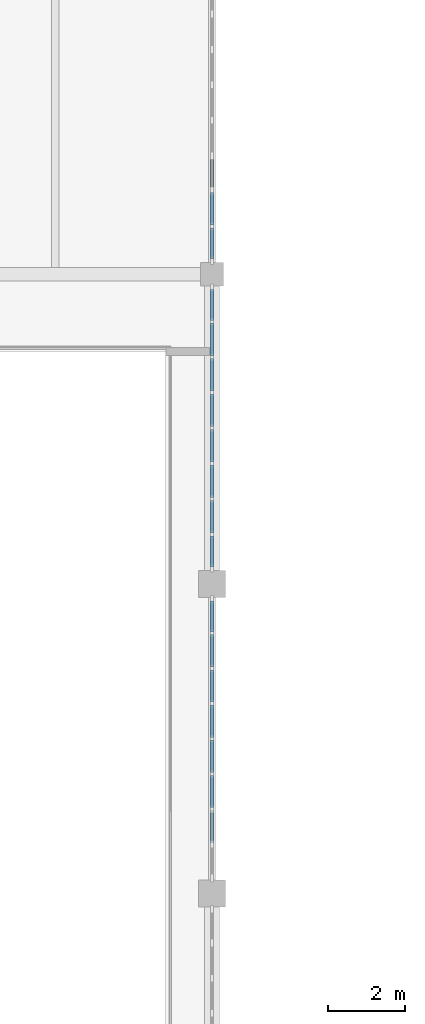
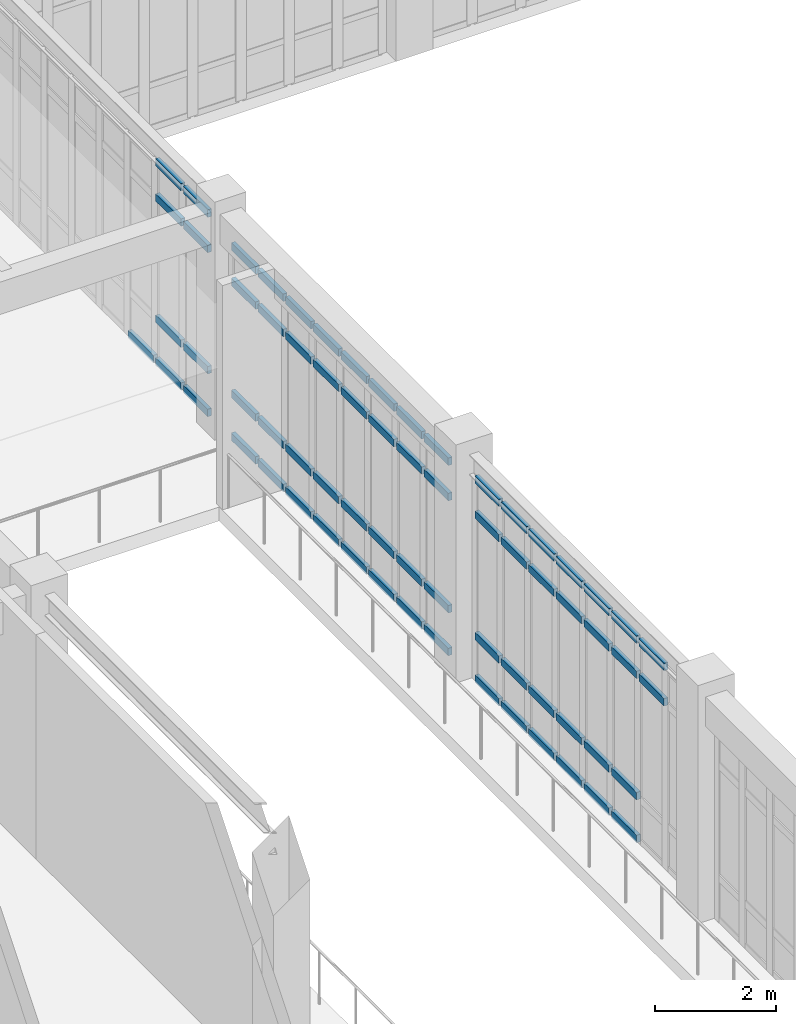
# One storey, part 23 of 61: 67 members, 3 elements without a shape of their own.
"""IFC4 building model written with IfcOpenShell, lengths in metres."""

from ifc_helpers import new_model, si_unit, direction, frame, origin, origin_2d, place, context, subcontext, project, spatial, rectangle, extrude, material, material_profile, profile_set, type_object, element, aggregate, save


model = new_model("IFC4")

# Units and contexts
model_context = context("Model", 3, precision=1e-05, world=origin(), true_north=direction((0.0, 1.0)))
body_context = subcontext(model_context, "Body", "Model", "MODEL_VIEW")
ifc_project = project(units=[si_unit("LENGTHUNIT", "METRE"), si_unit("AREAUNIT", "SQUARE_METRE"), si_unit("VOLUMEUNIT", "CUBIC_METRE"), si_unit("PLANEANGLEUNIT", "RADIAN"), si_unit("MASSUNIT", "GRAM", prefix="KILO")], contexts=[model_context])

# Site, building, storey
site_placement = place(None, origin())
site = spatial("IfcSite", under=ifc_project, at=site_placement, CompositionType="ELEMENT")
building_placement = place(site_placement, origin())
building = spatial("IfcBuilding", under=site, at=building_placement, Name="Tarnveldt Square Police Headquarters", CompositionType="ELEMENT")
storey_placement = place(building_placement, frame((0.0, 0.0, 5.39990234375)))
storey = spatial("IfcBuildingStorey", under=building, at=storey_placement, Name="L01", CompositionType="ELEMENT", Elevation=5.39990234375)

# Curtain wall, members
ifc_material_1 = material(Name="Triple-glazed low-e laminated vision glass", Category="glass")
curtain_wall_type_1 = type_object("IfcCurtainWallType", Name="CW-WG-727x409", PredefinedType="USERDEFINED", material=ifc_material_1)
curtain_wall_1_placement = place(storey_placement, origin())
curtain_wall_1 = element("IfcCurtainWall", 1, at=curtain_wall_1_placement, inside=storey, type_object=curtain_wall_type_1, Name="L01 Curtain Wall CW-L01-070", ObjectType="GLAZED CURTAIN WALL", PredefinedType="USERDEFINED")
ifc_material_2 = material(Name="Thermally broken anodised aluminium 6063-T6", Category="aluminium")
ifc_material_profile = material_profile(ifc_material_2, rectangle(XDim=0.074951171875, YDim=0.14990234375, at=origin_2d()), Name="CW-T75x150")
ifc_profile_set = profile_set([ifc_material_profile], Name="Thermally broken anodised aluminium 6063-T6")
member_type = type_object("IfcMemberType", Name="CWT-75x150", PredefinedType="USERDEFINED", material=ifc_profile_set)
member_1_placement = place(storey_placement, frame((48.60009765625, 73.311279296875, 3.34521484375), z_axis=(0.0, 1.0, 0.0), x_axis=(-1.0, 0.0, 0.0)))
member_1 = element("IfcMember", 2, at=member_1_placement, type_object=member_type, Name="CW-WG29 transom 2.3", ObjectType="TRANSOM", PredefinedType="USERDEFINED", context=body_context, shape_type="SweptSolid", body=[
    extrude(rectangle(XDim=0.074951171875, YDim=0.14990234375, at=origin_2d()), origin(), (0.0, 0.0, 1.0), 0.833740234375),
])
member_2_placement = place(storey_placement, frame((48.60009765625, 73.311279296875, 4.0576171875), z_axis=(0.0, 1.0, 0.0), x_axis=(-1.0, 0.0, 0.0)))
member_2 = element("IfcMember", 3, at=member_2_placement, type_object=member_type, Name="CW-WG29 transom 2.4", ObjectType="TRANSOM", PredefinedType="USERDEFINED", context=body_context, shape_type="SweptSolid", body=[
    extrude(rectangle(XDim=0.074951171875, YDim=0.14990234375, at=origin_2d()), origin(), (0.0, 0.0, 1.0), 0.833740234375),
])
member_3_placement = place(storey_placement, frame((48.60009765625, 74.219970703125, 0.03759765625), z_axis=(0.0, 1.0, 0.0), x_axis=(-1.0, 0.0, 0.0)))
member_3 = element("IfcMember", 4, at=member_3_placement, type_object=member_type, Name="CW-WG29 transom 3.1", ObjectType="TRANSOM", PredefinedType="USERDEFINED", context=body_context, shape_type="SweptSolid", body=[
    extrude(rectangle(XDim=0.074951171875, YDim=0.14990234375, at=origin_2d()), origin(), (0.0, 0.0, 1.0), 0.833740234375),
])
member_4_placement = place(storey_placement, frame((48.60009765625, 74.219970703125, 0.900146484375), z_axis=(0.0, 1.0, 0.0), x_axis=(-1.0, 0.0, 0.0)))
member_4 = element("IfcMember", 5, at=member_4_placement, type_object=member_type, Name="CW-WG29 transom 3.2", ObjectType="TRANSOM", PredefinedType="USERDEFINED", context=body_context, shape_type="SweptSolid", body=[
    extrude(rectangle(XDim=0.074951171875, YDim=0.14990234375, at=origin_2d()), origin(), (0.0, 0.0, 1.0), 0.833740234375),
])
member_5_placement = place(storey_placement, frame((48.60009765625, 74.219970703125, 3.34521484375), z_axis=(0.0, 1.0, 0.0), x_axis=(-1.0, 0.0, 0.0)))
member_5 = element("IfcMember", 6, at=member_5_placement, type_object=member_type, Name="CW-WG29 transom 3.3", ObjectType="TRANSOM", PredefinedType="USERDEFINED", context=body_context, shape_type="SweptSolid", body=[
    extrude(rectangle(XDim=0.074951171875, YDim=0.14990234375, at=origin_2d()), origin(), (0.0, 0.0, 1.0), 0.833740234375),
])
member_6_placement = place(storey_placement, frame((48.60009765625, 74.219970703125, 4.0576171875), z_axis=(0.0, 1.0, 0.0), x_axis=(-1.0, 0.0, 0.0)))
member_6 = element("IfcMember", 7, at=member_6_placement, type_object=member_type, Name="CW-WG29 transom 3.4", ObjectType="TRANSOM", PredefinedType="USERDEFINED", context=body_context, shape_type="SweptSolid", body=[
    extrude(rectangle(XDim=0.074951171875, YDim=0.14990234375, at=origin_2d()), origin(), (0.0, 0.0, 1.0), 0.833740234375),
])
member_7_placement = place(storey_placement, frame((48.60009765625, 75.128662109375, 0.03759765625), z_axis=(0.0, 1.0, 0.0), x_axis=(-1.0, 0.0, 0.0)))
member_7 = element("IfcMember", 8, at=member_7_placement, type_object=member_type, Name="CW-WG29 transom 4.1", ObjectType="TRANSOM", PredefinedType="USERDEFINED", context=body_context, shape_type="SweptSolid", body=[
    extrude(rectangle(XDim=0.074951171875, YDim=0.14990234375, at=origin_2d()), origin(), (0.0, 0.0, 1.0), 0.833740234375),
])
member_8_placement = place(storey_placement, frame((48.60009765625, 75.128662109375, 0.900146484375), z_axis=(0.0, 1.0, 0.0), x_axis=(-1.0, 0.0, 0.0)))
member_8 = element("IfcMember", 9, at=member_8_placement, type_object=member_type, Name="CW-WG29 transom 4.2", ObjectType="TRANSOM", PredefinedType="USERDEFINED", context=body_context, shape_type="SweptSolid", body=[
    extrude(rectangle(XDim=0.074951171875, YDim=0.14990234375, at=origin_2d()), origin(), (0.0, 0.0, 1.0), 0.833740234375),
])
member_9_placement = place(storey_placement, frame((48.60009765625, 75.128662109375, 3.34521484375), z_axis=(0.0, 1.0, 0.0), x_axis=(-1.0, 0.0, 0.0)))
member_9 = element("IfcMember", 10, at=member_9_placement, type_object=member_type, Name="CW-WG29 transom 4.3", ObjectType="TRANSOM", PredefinedType="USERDEFINED", context=body_context, shape_type="SweptSolid", body=[
    extrude(rectangle(XDim=0.074951171875, YDim=0.14990234375, at=origin_2d()), origin(), (0.0, 0.0, 1.0), 0.833740234375),
])
member_10_placement = place(storey_placement, frame((48.60009765625, 75.128662109375, 4.0576171875), z_axis=(0.0, 1.0, 0.0), x_axis=(-1.0, 0.0, 0.0)))
member_10 = element("IfcMember", 11, at=member_10_placement, type_object=member_type, Name="CW-WG29 transom 4.4", ObjectType="TRANSOM", PredefinedType="USERDEFINED", context=body_context, shape_type="SweptSolid", body=[
    extrude(rectangle(XDim=0.074951171875, YDim=0.14990234375, at=origin_2d()), origin(), (0.0, 0.0, 1.0), 0.833740234375),
])
member_11_placement = place(storey_placement, frame((48.60009765625, 76.03759765625, 0.03759765625), z_axis=(0.0, 1.0, 0.0), x_axis=(-1.0, 0.0, 0.0)))
member_11 = element("IfcMember", 12, at=member_11_placement, type_object=member_type, Name="CW-WG29 transom 5.1", ObjectType="TRANSOM", PredefinedType="USERDEFINED", context=body_context, shape_type="SweptSolid", body=[
    extrude(rectangle(XDim=0.074951171875, YDim=0.14990234375, at=origin_2d()), origin(), (0.0, 0.0, 1.0), 0.833740234375),
])
member_12_placement = place(storey_placement, frame((48.60009765625, 76.03759765625, 0.900146484375), z_axis=(0.0, 1.0, 0.0), x_axis=(-1.0, 0.0, 0.0)))
member_12 = element("IfcMember", 13, at=member_12_placement, type_object=member_type, Name="CW-WG29 transom 5.2", ObjectType="TRANSOM", PredefinedType="USERDEFINED", context=body_context, shape_type="SweptSolid", body=[
    extrude(rectangle(XDim=0.074951171875, YDim=0.14990234375, at=origin_2d()), origin(), (0.0, 0.0, 1.0), 0.833740234375),
])
member_13_placement = place(storey_placement, frame((48.60009765625, 76.03759765625, 3.34521484375), z_axis=(0.0, 1.0, 0.0), x_axis=(-1.0, 0.0, 0.0)))
member_13 = element("IfcMember", 14, at=member_13_placement, type_object=member_type, Name="CW-WG29 transom 5.3", ObjectType="TRANSOM", PredefinedType="USERDEFINED", context=body_context, shape_type="SweptSolid", body=[
    extrude(rectangle(XDim=0.074951171875, YDim=0.14990234375, at=origin_2d()), origin(), (0.0, 0.0, 1.0), 0.833740234375),
])
member_14_placement = place(storey_placement, frame((48.60009765625, 76.03759765625, 4.0576171875), z_axis=(0.0, 1.0, 0.0), x_axis=(-1.0, 0.0, 0.0)))
member_14 = element("IfcMember", 15, at=member_14_placement, type_object=member_type, Name="CW-WG29 transom 5.4", ObjectType="TRANSOM", PredefinedType="USERDEFINED", context=body_context, shape_type="SweptSolid", body=[
    extrude(rectangle(XDim=0.074951171875, YDim=0.14990234375, at=origin_2d()), origin(), (0.0, 0.0, 1.0), 0.833740234375),
])
member_15_placement = place(storey_placement, frame((48.60009765625, 76.9462890625, 0.03759765625), z_axis=(0.0, 1.0, 0.0), x_axis=(-1.0, 0.0, 0.0)))
member_15 = element("IfcMember", 16, at=member_15_placement, type_object=member_type, Name="CW-WG29 transom 6.1", ObjectType="TRANSOM", PredefinedType="USERDEFINED", context=body_context, shape_type="SweptSolid", body=[
    extrude(rectangle(XDim=0.074951171875, YDim=0.14990234375, at=origin_2d()), origin(), (0.0, 0.0, 1.0), 0.833740234375),
])
member_16_placement = place(storey_placement, frame((48.60009765625, 76.9462890625, 0.900146484375), z_axis=(0.0, 1.0, 0.0), x_axis=(-1.0, 0.0, 0.0)))
member_16 = element("IfcMember", 17, at=member_16_placement, type_object=member_type, Name="CW-WG29 transom 6.2", ObjectType="TRANSOM", PredefinedType="USERDEFINED", context=body_context, shape_type="SweptSolid", body=[
    extrude(rectangle(XDim=0.074951171875, YDim=0.14990234375, at=origin_2d()), origin(), (0.0, 0.0, 1.0), 0.833740234375),
])
member_17_placement = place(storey_placement, frame((48.60009765625, 76.9462890625, 3.34521484375), z_axis=(0.0, 1.0, 0.0), x_axis=(-1.0, 0.0, 0.0)))
member_17 = element("IfcMember", 18, at=member_17_placement, type_object=member_type, Name="CW-WG29 transom 6.3", ObjectType="TRANSOM", PredefinedType="USERDEFINED", context=body_context, shape_type="SweptSolid", body=[
    extrude(rectangle(XDim=0.074951171875, YDim=0.14990234375, at=origin_2d()), origin(), (0.0, 0.0, 1.0), 0.833740234375),
])
member_18_placement = place(storey_placement, frame((48.60009765625, 76.9462890625, 4.0576171875), z_axis=(0.0, 1.0, 0.0), x_axis=(-1.0, 0.0, 0.0)))
member_18 = element("IfcMember", 19, at=member_18_placement, type_object=member_type, Name="CW-WG29 transom 6.4", ObjectType="TRANSOM", PredefinedType="USERDEFINED", context=body_context, shape_type="SweptSolid", body=[
    extrude(rectangle(XDim=0.074951171875, YDim=0.14990234375, at=origin_2d()), origin(), (0.0, 0.0, 1.0), 0.833740234375),
])
member_19_placement = place(storey_placement, frame((48.60009765625, 77.85498046875, 0.03759765625), z_axis=(0.0, 1.0, 0.0), x_axis=(-1.0, 0.0, 0.0)))
member_19 = element("IfcMember", 20, at=member_19_placement, type_object=member_type, Name="CW-WG29 transom 7.1", ObjectType="TRANSOM", PredefinedType="USERDEFINED", context=body_context, shape_type="SweptSolid", body=[
    extrude(rectangle(XDim=0.074951171875, YDim=0.14990234375, at=origin_2d()), origin(), (0.0, 0.0, 1.0), 0.833740234375),
])
member_20_placement = place(storey_placement, frame((48.60009765625, 77.85498046875, 0.900146484375), z_axis=(0.0, 1.0, 0.0), x_axis=(-1.0, 0.0, 0.0)))
member_20 = element("IfcMember", 21, at=member_20_placement, type_object=member_type, Name="CW-WG29 transom 7.2", ObjectType="TRANSOM", PredefinedType="USERDEFINED", context=body_context, shape_type="SweptSolid", body=[
    extrude(rectangle(XDim=0.074951171875, YDim=0.14990234375, at=origin_2d()), origin(), (0.0, 0.0, 1.0), 0.833740234375),
])
member_21_placement = place(storey_placement, frame((48.60009765625, 77.85498046875, 3.34521484375), z_axis=(0.0, 1.0, 0.0), x_axis=(-1.0, 0.0, 0.0)))
member_21 = element("IfcMember", 22, at=member_21_placement, type_object=member_type, Name="CW-WG29 transom 7.3", ObjectType="TRANSOM", PredefinedType="USERDEFINED", context=body_context, shape_type="SweptSolid", body=[
    extrude(rectangle(XDim=0.074951171875, YDim=0.14990234375, at=origin_2d()), origin(), (0.0, 0.0, 1.0), 0.833740234375),
])
member_22_placement = place(storey_placement, frame((48.60009765625, 77.85498046875, 4.0576171875), z_axis=(0.0, 1.0, 0.0), x_axis=(-1.0, 0.0, 0.0)))
member_22 = element("IfcMember", 23, at=member_22_placement, type_object=member_type, Name="CW-WG29 transom 7.4", ObjectType="TRANSOM", PredefinedType="USERDEFINED", context=body_context, shape_type="SweptSolid", body=[
    extrude(rectangle(XDim=0.074951171875, YDim=0.14990234375, at=origin_2d()), origin(), (0.0, 0.0, 1.0), 0.833740234375),
])
member_23_placement = place(storey_placement, frame((48.60009765625, 78.763671875, 0.03759765625), z_axis=(0.0, 1.0, 0.0), x_axis=(-1.0, 0.0, 0.0)))
member_23 = element("IfcMember", 24, at=member_23_placement, type_object=member_type, Name="CW-WG29 transom 8.1", ObjectType="TRANSOM", PredefinedType="USERDEFINED", context=body_context, shape_type="SweptSolid", body=[
    extrude(rectangle(XDim=0.074951171875, YDim=0.14990234375, at=origin_2d()), origin(), (0.0, 0.0, 1.0), 0.79638671875),
])
member_24_placement = place(storey_placement, frame((48.60009765625, 78.763671875, 0.900146484375), z_axis=(0.0, 1.0, 0.0), x_axis=(-1.0, 0.0, 0.0)))
member_24 = element("IfcMember", 25, at=member_24_placement, type_object=member_type, Name="CW-WG29 transom 8.2", ObjectType="TRANSOM", PredefinedType="USERDEFINED", context=body_context, shape_type="SweptSolid", body=[
    extrude(rectangle(XDim=0.074951171875, YDim=0.14990234375, at=origin_2d()), origin(), (0.0, 0.0, 1.0), 0.79638671875),
])
member_25_placement = place(storey_placement, frame((48.60009765625, 78.763671875, 3.34521484375), z_axis=(0.0, 1.0, 0.0), x_axis=(-1.0, 0.0, 0.0)))
member_25 = element("IfcMember", 26, at=member_25_placement, type_object=member_type, Name="CW-WG29 transom 8.3", ObjectType="TRANSOM", PredefinedType="USERDEFINED", context=body_context, shape_type="SweptSolid", body=[
    extrude(rectangle(XDim=0.074951171875, YDim=0.14990234375, at=origin_2d()), origin(), (0.0, 0.0, 1.0), 0.79638671875),
])
member_26_placement = place(storey_placement, frame((48.60009765625, 78.763671875, 4.0576171875), z_axis=(0.0, 1.0, 0.0), x_axis=(-1.0, 0.0, 0.0)))
member_26 = element("IfcMember", 27, at=member_26_placement, type_object=member_type, Name="CW-WG29 transom 8.4", ObjectType="TRANSOM", PredefinedType="USERDEFINED", context=body_context, shape_type="SweptSolid", body=[
    extrude(rectangle(XDim=0.074951171875, YDim=0.14990234375, at=origin_2d()), origin(), (0.0, 0.0, 1.0), 0.79638671875),
])
aggregate(curtain_wall_1, [member_1, member_2, member_3, member_4, member_5, member_6, member_7, member_8, member_9, member_10, member_11, member_12, member_13, member_14, member_15, member_16, member_17, member_18, member_19, member_20, member_21, member_22, member_23, member_24, member_25, member_26])

curtain_wall_type_2 = type_object("IfcCurtainWallType", Name="CW-WG-732x391", PredefinedType="USERDEFINED", material=ifc_material_1)
curtain_wall_2_placement = place(storey_placement, origin())
curtain_wall_2 = element("IfcCurtainWall", 28, at=curtain_wall_2_placement, inside=storey, type_object=curtain_wall_type_2, Name="L01 Curtain Wall CW-L01-071", ObjectType="GLAZED CURTAIN WALL", PredefinedType="USERDEFINED")
member_27_placement = place(storey_placement, frame((48.60009765625, 80.43994140625, 0.03759765625), z_axis=(0.0, 1.0, 0.0), x_axis=(-1.0, 0.0, 0.0)))
member_27 = element("IfcMember", 29, at=member_27_placement, type_object=member_type, Name="CW-WG31 transom 1.1", ObjectType="TRANSOM", PredefinedType="USERDEFINED", context=body_context, shape_type="SweptSolid", body=[
    extrude(rectangle(XDim=0.074951171875, YDim=0.14990234375, at=origin_2d()), origin(), (0.0, 0.0, 1.0), 0.802490234375),
])
member_28_placement = place(storey_placement, frame((48.60009765625, 80.43994140625, 0.900146484375), z_axis=(0.0, 1.0, 0.0), x_axis=(-1.0, 0.0, 0.0)))
member_28 = element("IfcMember", 30, at=member_28_placement, type_object=member_type, Name="CW-WG31 transom 1.2", ObjectType="TRANSOM", PredefinedType="USERDEFINED", context=body_context, shape_type="SweptSolid", body=[
    extrude(rectangle(XDim=0.074951171875, YDim=0.14990234375, at=origin_2d()), origin(), (0.0, 0.0, 1.0), 0.802490234375),
])
member_29_placement = place(storey_placement, frame((48.60009765625, 80.43994140625, 3.162109375), z_axis=(0.0, 1.0, 0.0), x_axis=(-1.0, 0.0, 0.0)))
member_29 = element("IfcMember", 31, at=member_29_placement, type_object=member_type, Name="CW-WG31 transom 1.3", ObjectType="TRANSOM", PredefinedType="USERDEFINED", context=body_context, shape_type="SweptSolid", body=[
    extrude(rectangle(XDim=0.074951171875, YDim=0.14990234375, at=origin_2d()), origin(), (0.0, 0.0, 1.0), 0.802490234375),
])
member_30_placement = place(storey_placement, frame((48.60009765625, 80.43994140625, 3.87451171875), z_axis=(0.0, 1.0, 0.0), x_axis=(-1.0, 0.0, 0.0)))
member_30 = element("IfcMember", 32, at=member_30_placement, type_object=member_type, Name="CW-WG31 transom 1.4", ObjectType="TRANSOM", PredefinedType="USERDEFINED", context=body_context, shape_type="SweptSolid", body=[
    extrude(rectangle(XDim=0.074951171875, YDim=0.14990234375, at=origin_2d()), origin(), (0.0, 0.0, 1.0), 0.802490234375),
])
member_31_placement = place(storey_placement, frame((48.60009765625, 81.3173828125, 0.03759765625), z_axis=(0.0, 1.0, 0.0), x_axis=(-1.0, 0.0, 0.0)))
member_31 = element("IfcMember", 33, at=member_31_placement, type_object=member_type, Name="CW-WG31 transom 2.1", ObjectType="TRANSOM", PredefinedType="USERDEFINED", context=body_context, shape_type="SweptSolid", body=[
    extrude(rectangle(XDim=0.074951171875, YDim=0.14990234375, at=origin_2d()), origin(), (0.0, 0.0, 1.0), 0.840087890625),
])
member_32_placement = place(storey_placement, frame((48.60009765625, 81.3173828125, 0.900146484375), z_axis=(0.0, 1.0, 0.0), x_axis=(-1.0, 0.0, 0.0)))
member_32 = element("IfcMember", 34, at=member_32_placement, type_object=member_type, Name="CW-WG31 transom 2.2", ObjectType="TRANSOM", PredefinedType="USERDEFINED", context=body_context, shape_type="SweptSolid", body=[
    extrude(rectangle(XDim=0.074951171875, YDim=0.14990234375, at=origin_2d()), origin(), (0.0, 0.0, 1.0), 0.840087890625),
])
member_33_placement = place(storey_placement, frame((48.60009765625, 81.3173828125, 3.162109375), z_axis=(0.0, 1.0, 0.0), x_axis=(-1.0, 0.0, 0.0)))
member_33 = element("IfcMember", 35, at=member_33_placement, type_object=member_type, Name="CW-WG31 transom 2.3", ObjectType="TRANSOM", PredefinedType="USERDEFINED", context=body_context, shape_type="SweptSolid", body=[
    extrude(rectangle(XDim=0.074951171875, YDim=0.14990234375, at=origin_2d()), origin(), (0.0, 0.0, 1.0), 0.840087890625),
])
member_34_placement = place(storey_placement, frame((48.60009765625, 81.3173828125, 3.87451171875), z_axis=(0.0, 1.0, 0.0), x_axis=(-1.0, 0.0, 0.0)))
member_34 = element("IfcMember", 36, at=member_34_placement, type_object=member_type, Name="CW-WG31 transom 2.4", ObjectType="TRANSOM", PredefinedType="USERDEFINED", context=body_context, shape_type="SweptSolid", body=[
    extrude(rectangle(XDim=0.074951171875, YDim=0.14990234375, at=origin_2d()), origin(), (0.0, 0.0, 1.0), 0.840087890625),
])
member_35_placement = place(storey_placement, frame((48.60009765625, 82.232421875, 0.03759765625), z_axis=(0.0, 1.0, 0.0), x_axis=(-1.0, 0.0, 0.0)))
member_35 = element("IfcMember", 37, at=member_35_placement, type_object=member_type, Name="CW-WG31 transom 3.1", ObjectType="TRANSOM", PredefinedType="USERDEFINED", context=body_context, shape_type="SweptSolid", body=[
    extrude(rectangle(XDim=0.074951171875, YDim=0.14990234375, at=origin_2d()), origin(), (0.0, 0.0, 1.0), 0.840087890625),
])
member_36_placement = place(storey_placement, frame((48.60009765625, 82.232421875, 0.900146484375), z_axis=(0.0, 1.0, 0.0), x_axis=(-1.0, 0.0, 0.0)))
member_36 = element("IfcMember", 38, at=member_36_placement, type_object=member_type, Name="CW-WG31 transom 3.2", ObjectType="TRANSOM", PredefinedType="USERDEFINED", context=body_context, shape_type="SweptSolid", body=[
    extrude(rectangle(XDim=0.074951171875, YDim=0.14990234375, at=origin_2d()), origin(), (0.0, 0.0, 1.0), 0.840087890625),
])
member_37_placement = place(storey_placement, frame((48.60009765625, 82.232421875, 3.162109375), z_axis=(0.0, 1.0, 0.0), x_axis=(-1.0, 0.0, 0.0)))
member_37 = element("IfcMember", 39, at=member_37_placement, type_object=member_type, Name="CW-WG31 transom 3.3", ObjectType="TRANSOM", PredefinedType="USERDEFINED", context=body_context, shape_type="SweptSolid", body=[
    extrude(rectangle(XDim=0.074951171875, YDim=0.14990234375, at=origin_2d()), origin(), (0.0, 0.0, 1.0), 0.840087890625),
])
member_38_placement = place(storey_placement, frame((48.60009765625, 82.232421875, 3.87451171875), z_axis=(0.0, 1.0, 0.0), x_axis=(-1.0, 0.0, 0.0)))
member_38 = element("IfcMember", 40, at=member_38_placement, type_object=member_type, Name="CW-WG31 transom 3.4", ObjectType="TRANSOM", PredefinedType="USERDEFINED", context=body_context, shape_type="SweptSolid", body=[
    extrude(rectangle(XDim=0.074951171875, YDim=0.14990234375, at=origin_2d()), origin(), (0.0, 0.0, 1.0), 0.840087890625),
])
member_39_placement = place(storey_placement, frame((48.60009765625, 83.1474609375, 0.03759765625), z_axis=(0.0, 1.0, 0.0), x_axis=(-1.0, 0.0, 0.0)))
member_39 = element("IfcMember", 41, at=member_39_placement, type_object=member_type, Name="CW-WG31 transom 4.1", ObjectType="TRANSOM", PredefinedType="USERDEFINED", context=body_context, shape_type="SweptSolid", body=[
    extrude(rectangle(XDim=0.074951171875, YDim=0.14990234375, at=origin_2d()), origin(), (0.0, 0.0, 1.0), 0.840087890625),
])
member_40_placement = place(storey_placement, frame((48.60009765625, 83.1474609375, 0.900146484375), z_axis=(0.0, 1.0, 0.0), x_axis=(-1.0, 0.0, 0.0)))
member_40 = element("IfcMember", 42, at=member_40_placement, type_object=member_type, Name="CW-WG31 transom 4.2", ObjectType="TRANSOM", PredefinedType="USERDEFINED", context=body_context, shape_type="SweptSolid", body=[
    extrude(rectangle(XDim=0.074951171875, YDim=0.14990234375, at=origin_2d()), origin(), (0.0, 0.0, 1.0), 0.840087890625),
])
member_41_placement = place(storey_placement, frame((48.60009765625, 83.1474609375, 3.162109375), z_axis=(0.0, 1.0, 0.0), x_axis=(-1.0, 0.0, 0.0)))
member_41 = element("IfcMember", 43, at=member_41_placement, type_object=member_type, Name="CW-WG31 transom 4.3", ObjectType="TRANSOM", PredefinedType="USERDEFINED", context=body_context, shape_type="SweptSolid", body=[
    extrude(rectangle(XDim=0.074951171875, YDim=0.14990234375, at=origin_2d()), origin(), (0.0, 0.0, 1.0), 0.840087890625),
])
member_42_placement = place(storey_placement, frame((48.60009765625, 83.1474609375, 3.87451171875), z_axis=(0.0, 1.0, 0.0), x_axis=(-1.0, 0.0, 0.0)))
member_42 = element("IfcMember", 44, at=member_42_placement, type_object=member_type, Name="CW-WG31 transom 4.4", ObjectType="TRANSOM", PredefinedType="USERDEFINED", context=body_context, shape_type="SweptSolid", body=[
    extrude(rectangle(XDim=0.074951171875, YDim=0.14990234375, at=origin_2d()), origin(), (0.0, 0.0, 1.0), 0.840087890625),
])
member_43_placement = place(storey_placement, frame((48.60009765625, 84.0625, 0.03759765625), z_axis=(0.0, 1.0, 0.0), x_axis=(-1.0, 0.0, 0.0)))
member_43 = element("IfcMember", 45, at=member_43_placement, type_object=member_type, Name="CW-WG31 transom 5.1", ObjectType="TRANSOM", PredefinedType="USERDEFINED", context=body_context, shape_type="SweptSolid", body=[
    extrude(rectangle(XDim=0.074951171875, YDim=0.14990234375, at=origin_2d()), origin(), (0.0, 0.0, 1.0), 0.840087890625),
])
member_44_placement = place(storey_placement, frame((48.60009765625, 84.0625, 0.900146484375), z_axis=(0.0, 1.0, 0.0), x_axis=(-1.0, 0.0, 0.0)))
member_44 = element("IfcMember", 46, at=member_44_placement, type_object=member_type, Name="CW-WG31 transom 5.2", ObjectType="TRANSOM", PredefinedType="USERDEFINED", context=body_context, shape_type="SweptSolid", body=[
    extrude(rectangle(XDim=0.074951171875, YDim=0.14990234375, at=origin_2d()), origin(), (0.0, 0.0, 1.0), 0.840087890625),
])
member_45_placement = place(storey_placement, frame((48.60009765625, 84.0625, 3.162109375), z_axis=(0.0, 1.0, 0.0), x_axis=(-1.0, 0.0, 0.0)))
member_45 = element("IfcMember", 47, at=member_45_placement, type_object=member_type, Name="CW-WG31 transom 5.3", ObjectType="TRANSOM", PredefinedType="USERDEFINED", context=body_context, shape_type="SweptSolid", body=[
    extrude(rectangle(XDim=0.074951171875, YDim=0.14990234375, at=origin_2d()), origin(), (0.0, 0.0, 1.0), 0.840087890625),
])
member_46_placement = place(storey_placement, frame((48.60009765625, 84.0625, 3.87451171875), z_axis=(0.0, 1.0, 0.0), x_axis=(-1.0, 0.0, 0.0)))
member_46 = element("IfcMember", 48, at=member_46_placement, type_object=member_type, Name="CW-WG31 transom 5.4", ObjectType="TRANSOM", PredefinedType="USERDEFINED", context=body_context, shape_type="SweptSolid", body=[
    extrude(rectangle(XDim=0.074951171875, YDim=0.14990234375, at=origin_2d()), origin(), (0.0, 0.0, 1.0), 0.840087890625),
])
member_47_placement = place(storey_placement, frame((48.60009765625, 84.9775390625, 0.03759765625), z_axis=(0.0, 1.0, 0.0), x_axis=(-1.0, 0.0, 0.0)))
member_47 = element("IfcMember", 49, at=member_47_placement, type_object=member_type, Name="CW-WG31 transom 6.1", ObjectType="TRANSOM", PredefinedType="USERDEFINED", context=body_context, shape_type="SweptSolid", body=[
    extrude(rectangle(XDim=0.074951171875, YDim=0.14990234375, at=origin_2d()), origin(), (0.0, 0.0, 1.0), 0.83984375),
])
member_48_placement = place(storey_placement, frame((48.60009765625, 84.9775390625, 0.900146484375), z_axis=(0.0, 1.0, 0.0), x_axis=(-1.0, 0.0, 0.0)))
member_48 = element("IfcMember", 50, at=member_48_placement, type_object=member_type, Name="CW-WG31 transom 6.2", ObjectType="TRANSOM", PredefinedType="USERDEFINED", context=body_context, shape_type="SweptSolid", body=[
    extrude(rectangle(XDim=0.074951171875, YDim=0.14990234375, at=origin_2d()), origin(), (0.0, 0.0, 1.0), 0.83984375),
])
member_49_placement = place(storey_placement, frame((48.60009765625, 84.9775390625, 3.162109375), z_axis=(0.0, 1.0, 0.0), x_axis=(-1.0, 0.0, 0.0)))
member_49 = element("IfcMember", 51, at=member_49_placement, type_object=member_type, Name="CW-WG31 transom 6.3", ObjectType="TRANSOM", PredefinedType="USERDEFINED", context=body_context, shape_type="SweptSolid", body=[
    extrude(rectangle(XDim=0.074951171875, YDim=0.14990234375, at=origin_2d()), origin(), (0.0, 0.0, 1.0), 0.83984375),
])
member_50_placement = place(storey_placement, frame((48.60009765625, 84.9775390625, 3.87451171875), z_axis=(0.0, 1.0, 0.0), x_axis=(-1.0, 0.0, 0.0)))
member_50 = element("IfcMember", 52, at=member_50_placement, type_object=member_type, Name="CW-WG31 transom 6.4", ObjectType="TRANSOM", PredefinedType="USERDEFINED", context=body_context, shape_type="SweptSolid", body=[
    extrude(rectangle(XDim=0.074951171875, YDim=0.14990234375, at=origin_2d()), origin(), (0.0, 0.0, 1.0), 0.83984375),
])
member_51_placement = place(storey_placement, frame((48.60009765625, 85.892578125, 0.03759765625), z_axis=(0.0, 1.0, 0.0), x_axis=(-1.0, 0.0, 0.0)))
member_51 = element("IfcMember", 53, at=member_51_placement, type_object=member_type, Name="CW-WG31 transom 7.1", ObjectType="TRANSOM", PredefinedType="USERDEFINED", context=body_context, shape_type="SweptSolid", body=[
    extrude(rectangle(XDim=0.074951171875, YDim=0.14990234375, at=origin_2d()), origin(), (0.0, 0.0, 1.0), 0.83984375),
])
member_52_placement = place(storey_placement, frame((48.60009765625, 85.892578125, 0.900146484375), z_axis=(0.0, 1.0, 0.0), x_axis=(-1.0, 0.0, 0.0)))
member_52 = element("IfcMember", 54, at=member_52_placement, type_object=member_type, Name="CW-WG31 transom 7.2", ObjectType="TRANSOM", PredefinedType="USERDEFINED", context=body_context, shape_type="SweptSolid", body=[
    extrude(rectangle(XDim=0.074951171875, YDim=0.14990234375, at=origin_2d()), origin(), (0.0, 0.0, 1.0), 0.83984375),
])
member_53_placement = place(storey_placement, frame((48.60009765625, 85.892578125, 3.162109375), z_axis=(0.0, 1.0, 0.0), x_axis=(-1.0, 0.0, 0.0)))
member_53 = element("IfcMember", 55, at=member_53_placement, type_object=member_type, Name="CW-WG31 transom 7.3", ObjectType="TRANSOM", PredefinedType="USERDEFINED", context=body_context, shape_type="SweptSolid", body=[
    extrude(rectangle(XDim=0.074951171875, YDim=0.14990234375, at=origin_2d()), origin(), (0.0, 0.0, 1.0), 0.83984375),
])
member_54_placement = place(storey_placement, frame((48.60009765625, 85.892578125, 3.87451171875), z_axis=(0.0, 1.0, 0.0), x_axis=(-1.0, 0.0, 0.0)))
member_54 = element("IfcMember", 56, at=member_54_placement, type_object=member_type, Name="CW-WG31 transom 7.4", ObjectType="TRANSOM", PredefinedType="USERDEFINED", context=body_context, shape_type="SweptSolid", body=[
    extrude(rectangle(XDim=0.074951171875, YDim=0.14990234375, at=origin_2d()), origin(), (0.0, 0.0, 1.0), 0.83984375),
])
member_55_placement = place(storey_placement, frame((48.60009765625, 86.8076171875, 0.03759765625), z_axis=(0.0, 1.0, 0.0), x_axis=(-1.0, 0.0, 0.0)))
member_55 = element("IfcMember", 57, at=member_55_placement, type_object=member_type, Name="CW-WG31 transom 8.1", ObjectType="TRANSOM", PredefinedType="USERDEFINED", context=body_context, shape_type="SweptSolid", body=[
    extrude(rectangle(XDim=0.074951171875, YDim=0.14990234375, at=origin_2d()), origin(), (0.0, 0.0, 1.0), 0.802490234375),
])
member_56_placement = place(storey_placement, frame((48.60009765625, 86.8076171875, 0.900146484375), z_axis=(0.0, 1.0, 0.0), x_axis=(-1.0, 0.0, 0.0)))
member_56 = element("IfcMember", 58, at=member_56_placement, type_object=member_type, Name="CW-WG31 transom 8.2", ObjectType="TRANSOM", PredefinedType="USERDEFINED", context=body_context, shape_type="SweptSolid", body=[
    extrude(rectangle(XDim=0.074951171875, YDim=0.14990234375, at=origin_2d()), origin(), (0.0, 0.0, 1.0), 0.802490234375),
])
member_57_placement = place(storey_placement, frame((48.60009765625, 86.8076171875, 3.162109375), z_axis=(0.0, 1.0, 0.0), x_axis=(-1.0, 0.0, 0.0)))
member_57 = element("IfcMember", 59, at=member_57_placement, type_object=member_type, Name="CW-WG31 transom 8.3", ObjectType="TRANSOM", PredefinedType="USERDEFINED", context=body_context, shape_type="SweptSolid", body=[
    extrude(rectangle(XDim=0.074951171875, YDim=0.14990234375, at=origin_2d()), origin(), (0.0, 0.0, 1.0), 0.802490234375),
])
member_58_placement = place(storey_placement, frame((48.60009765625, 86.8076171875, 3.87451171875), z_axis=(0.0, 1.0, 0.0), x_axis=(-1.0, 0.0, 0.0)))
member_58 = element("IfcMember", 60, at=member_58_placement, type_object=member_type, Name="CW-WG31 transom 8.4", ObjectType="TRANSOM", PredefinedType="USERDEFINED", context=body_context, shape_type="SweptSolid", body=[
    extrude(rectangle(XDim=0.074951171875, YDim=0.14990234375, at=origin_2d()), origin(), (0.0, 0.0, 1.0), 0.802490234375),
])
aggregate(curtain_wall_2, [member_27, member_28, member_29, member_30, member_31, member_32, member_33, member_34, member_35, member_36, member_37, member_38, member_39, member_40, member_41, member_42, member_43, member_44, member_45, member_46, member_47, member_48, member_49, member_50, member_51, member_52, member_53, member_54, member_55, member_56, member_57, member_58])

curtain_wall_type_3 = type_object("IfcCurtainWallType", Name="CW-WG-732x409", PredefinedType="USERDEFINED", material=ifc_material_1)
curtain_wall_3_placement = place(storey_placement, origin())
curtain_wall_3 = element("IfcCurtainWall", 61, at=curtain_wall_3_placement, inside=storey, type_object=curtain_wall_type_3, Name="L01 Curtain Wall CW-L01-072", ObjectType="GLAZED CURTAIN WALL", PredefinedType="USERDEFINED")
member_59_placement = place(storey_placement, frame((48.60009765625, 88.389892578125, 0.03759765625), z_axis=(0.0, 1.0, 0.0), x_axis=(-1.0, 0.0, 0.0)))
member_59 = element("IfcMember", 62, at=member_59_placement, type_object=member_type, Name="CW-WG32 transom 1.1", ObjectType="TRANSOM", PredefinedType="USERDEFINED", context=body_context, shape_type="SweptSolid", body=[
    extrude(rectangle(XDim=0.074951171875, YDim=0.14990234375, at=origin_2d()), origin(), (0.0, 0.0, 1.0), 0.802490234375),
])
member_60_placement = place(storey_placement, frame((48.60009765625, 88.389892578125, 0.900146484375), z_axis=(0.0, 1.0, 0.0), x_axis=(-1.0, 0.0, 0.0)))
member_60 = element("IfcMember", 63, at=member_60_placement, type_object=member_type, Name="CW-WG32 transom 1.2", ObjectType="TRANSOM", PredefinedType="USERDEFINED", context=body_context, shape_type="SweptSolid", body=[
    extrude(rectangle(XDim=0.074951171875, YDim=0.14990234375, at=origin_2d()), origin(), (0.0, 0.0, 1.0), 0.802490234375),
])
member_61_placement = place(storey_placement, frame((48.60009765625, 88.389892578125, 3.34521484375), z_axis=(0.0, 1.0, 0.0), x_axis=(-1.0, 0.0, 0.0)))
member_61 = element("IfcMember", 64, at=member_61_placement, type_object=member_type, Name="CW-WG32 transom 1.3", ObjectType="TRANSOM", PredefinedType="USERDEFINED", context=body_context, shape_type="SweptSolid", body=[
    extrude(rectangle(XDim=0.074951171875, YDim=0.14990234375, at=origin_2d()), origin(), (0.0, 0.0, 1.0), 0.802490234375),
])
member_62_placement = place(storey_placement, frame((48.60009765625, 88.389892578125, 4.0576171875), z_axis=(0.0, 1.0, 0.0), x_axis=(-1.0, 0.0, 0.0)))
member_62 = element("IfcMember", 65, at=member_62_placement, type_object=member_type, Name="CW-WG32 transom 1.4", ObjectType="TRANSOM", PredefinedType="USERDEFINED", context=body_context, shape_type="SweptSolid", body=[
    extrude(rectangle(XDim=0.074951171875, YDim=0.14990234375, at=origin_2d()), origin(), (0.0, 0.0, 1.0), 0.802490234375),
])
member_63_placement = place(storey_placement, frame((48.60009765625, 89.267578125, 0.03759765625), z_axis=(0.0, 1.0, 0.0), x_axis=(-1.0, 0.0, 0.0)))
member_63 = element("IfcMember", 66, at=member_63_placement, type_object=member_type, Name="CW-WG32 transom 2.1", ObjectType="TRANSOM", PredefinedType="USERDEFINED", context=body_context, shape_type="SweptSolid", body=[
    extrude(rectangle(XDim=0.074951171875, YDim=0.14990234375, at=origin_2d()), origin(), (0.0, 0.0, 1.0), 0.83984375),
])
member_64_placement = place(storey_placement, frame((48.60009765625, 89.267578125, 0.900146484375), z_axis=(0.0, 1.0, 0.0), x_axis=(-1.0, 0.0, 0.0)))
member_64 = element("IfcMember", 67, at=member_64_placement, type_object=member_type, Name="CW-WG32 transom 2.2", ObjectType="TRANSOM", PredefinedType="USERDEFINED", context=body_context, shape_type="SweptSolid", body=[
    extrude(rectangle(XDim=0.074951171875, YDim=0.14990234375, at=origin_2d()), origin(), (0.0, 0.0, 1.0), 0.83984375),
])
member_65_placement = place(storey_placement, frame((48.60009765625, 89.267578125, 3.34521484375), z_axis=(0.0, 1.0, 0.0), x_axis=(-1.0, 0.0, 0.0)))
member_65 = element("IfcMember", 68, at=member_65_placement, type_object=member_type, Name="CW-WG32 transom 2.3", ObjectType="TRANSOM", PredefinedType="USERDEFINED", context=body_context, shape_type="SweptSolid", body=[
    extrude(rectangle(XDim=0.074951171875, YDim=0.14990234375, at=origin_2d()), origin(), (0.0, 0.0, 1.0), 0.83984375),
])
member_66_placement = place(storey_placement, frame((48.60009765625, 89.267578125, 4.0576171875), z_axis=(0.0, 1.0, 0.0), x_axis=(-1.0, 0.0, 0.0)))
member_66 = element("IfcMember", 69, at=member_66_placement, type_object=member_type, Name="CW-WG32 transom 2.4", ObjectType="TRANSOM", PredefinedType="USERDEFINED", context=body_context, shape_type="SweptSolid", body=[
    extrude(rectangle(XDim=0.074951171875, YDim=0.14990234375, at=origin_2d()), origin(), (0.0, 0.0, 1.0), 0.83984375),
])
member_67_placement = place(storey_placement, frame((48.60009765625, 90.1826171875, 0.03759765625), z_axis=(0.0, 1.0, 0.0), x_axis=(-1.0, 0.0, 0.0)))
member_67 = element("IfcMember", 70, at=member_67_placement, type_object=member_type, Name="CW-WG32 transom 3.1", ObjectType="TRANSOM", PredefinedType="USERDEFINED", context=body_context, shape_type="SweptSolid", body=[
    extrude(rectangle(XDim=0.074951171875, YDim=0.14990234375, at=origin_2d()), origin(), (0.0, 0.0, 1.0), 0.83984375),
])
aggregate(curtain_wall_3, [member_59, member_60, member_61, member_62, member_63, member_64, member_65, member_66, member_67])

save(model, "model.ifc")
